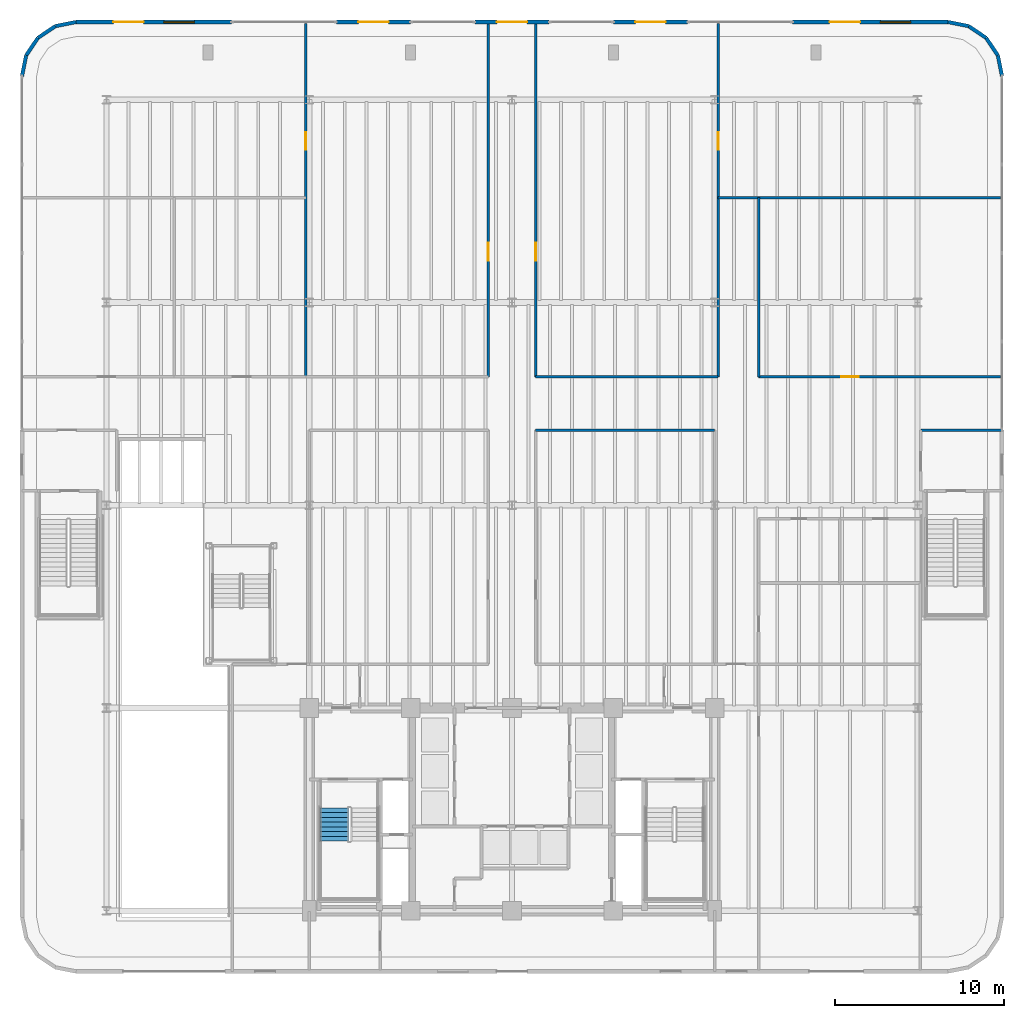
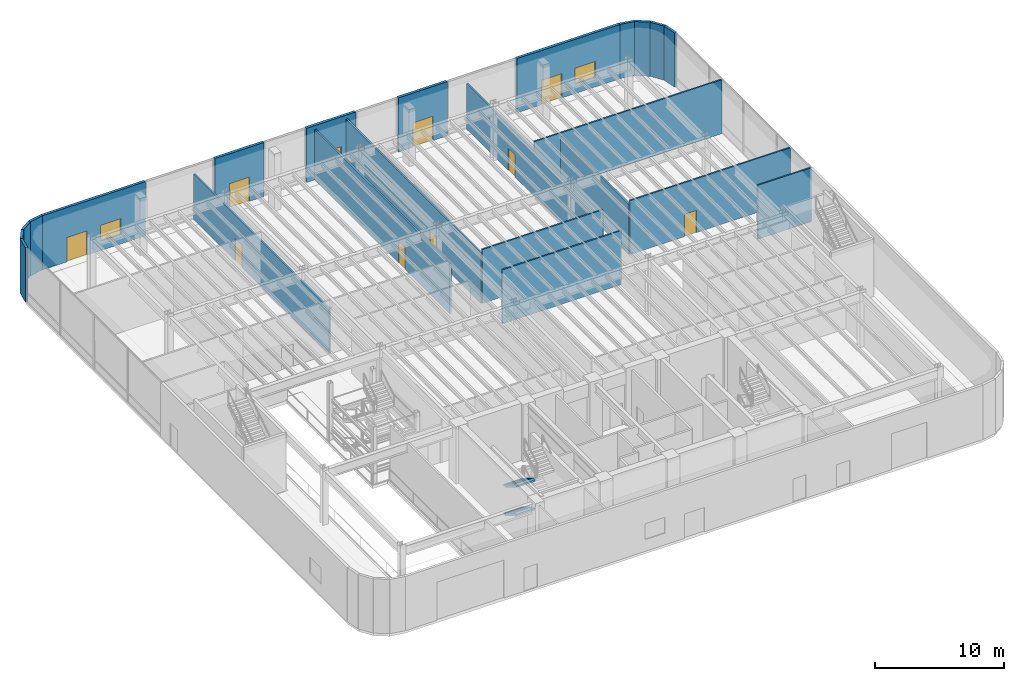
# One storey, part 10 of 17: 23 walls, 10 doors, 2 stair flights, 2 windows, 12 openings, 1 element without a shape of its own.
"""IFC4 building model written with IfcOpenShell, lengths in metres."""

from ifc_helpers import new_model, si_unit, direction, frame, frame_2d, origin, origin_2d, place, context, subcontext, project, spatial, polyline, rectangle, outline, extrude, source, transform, mapped, material, layer, layer_set, type_object, element, fill, aggregate, save


model = new_model("IFC4")

# Units and contexts
model_context = context("Model", 3, precision=1e-05, world=origin(), true_north=direction((0.0, 1.0)))
body_context = subcontext(model_context, "Body", "Model", "MODEL_VIEW")
ifc_project = project(units=[si_unit("LENGTHUNIT", "METRE"), si_unit("AREAUNIT", "SQUARE_METRE"), si_unit("VOLUMEUNIT", "CUBIC_METRE"), si_unit("PLANEANGLEUNIT", "RADIAN"), si_unit("MASSUNIT", "GRAM", prefix="KILO")], contexts=[model_context])

# Site, building, storey
site_placement = place(None, origin())
site = spatial("IfcSite", under=ifc_project, at=site_placement, CompositionType="ELEMENT")
building_placement = place(site_placement, origin())
building = spatial("IfcBuilding", under=site, at=building_placement, Name="Brelvock Crest Care Tower", CompositionType="ELEMENT")
storey_placement = place(building_placement, origin())
storey = spatial("IfcBuildingStorey", under=building, at=storey_placement, Name="L00", CompositionType="ELEMENT", Elevation=0.0)

# Wall, openings, window, door
ifc_material_1 = material(Name="Precast concrete N40 (40 MPa)", Category="concrete")
ifc_layer_1 = layer(ifc_material_1, 0.239990234375, Name="WL-EX1")
ifc_layer_set_1 = layer_set([ifc_layer_1], Name="Precast concrete N40 (40 MPa)")
wall_type_1 = type_object("IfcWallType", Name="WL-EX1", PredefinedType="SOLIDWALL", material=ifc_layer_set_1)
wall_1_placement = place(storey_placement, frame((10.199951171875, 58.60009765625, 0.0), z_axis=(0.0, 0.0, 1.0), x_axis=(1.0, 0.0, 0.0)))
wall_1 = element("IfcWall", 1, at=wall_1_placement, inside=storey, type_object=wall_type_1, Name="L00 Exterior Spandrel Wall WL-EX-L00-NW", PredefinedType="SOLIDWALL", context=body_context, shape_type="SweptSolid", body=[
    extrude(rectangle(XDim=9.199951171875, YDim=0.239990234375, at=frame_2d((4.60009765625, 0.0))), origin(), (0.0, 0.0, 1.0), 5.1201171875),
])
opening_1_placement = place(wall_1_placement, frame((2.199951171875, 0.0, 0.0)))
opening_1 = element("IfcOpeningElement", 2, at=opening_1_placement, cuts=wall_1, Name="Opening ED-1", PredefinedType="OPENING", context=body_context, shape_type="SweptSolid", body=[
    extrude(rectangle(XDim=1.800048828125, YDim=2.300048828125, at=origin_2d()), frame((0.89990234375, 0.1298828125, 1.14990234375), z_axis=(0.0, -1.0, 0.0), x_axis=(1.0, 0.0, 0.0)), (0.0, 0.0, 1.0), 0.260009765625),
])
opening_2_placement = place(wall_1_placement, frame((5.199951171875, 0.0, 0.89990234375)))
opening_2 = element("IfcOpeningElement", 3, at=opening_2_placement, cuts=wall_1, Name="Opening W-02", PredefinedType="OPENING", context=body_context, shape_type="SweptSolid", body=[
    extrude(rectangle(XDim=1.800048828125, YDim=1.5, at=origin_2d()), frame((0.89990234375, 0.1298828125, 0.75), z_axis=(0.0, -1.0, 0.0), x_axis=(1.0, 0.0, 0.0)), (0.0, 0.0, 1.0), 0.260009765625),
])
ifc_material_2 = material(Name="Dark Glass Double Glazed Low-E", Category="glass")
window_type = type_object("IfcWindowType", Name="WN-EX2", PartitioningType="SINGLE_PANEL", PredefinedType="WINDOW", material=ifc_material_2)
shared_shape_1 = source(origin(), body_context, "Body", "SweptSolid", [
    extrude(rectangle(XDim=1.800048828125, YDim=1.5, at=origin_2d()), frame((0.89990234375, 0.030029296875, 0.75), z_axis=(0.0, -1.0, 0.0), x_axis=(1.0, 0.0, 0.0)), (0.0, 0.0, 1.0), 0.06005859375),
])
window_1_placement = place(opening_2_placement, origin())
window_1 = element("IfcWindow", 4, at=window_1_placement, inside=storey, type_object=window_type, Name="WN-L00-N1", OverallHeight=1.5, OverallWidth=1.800048828125, PartitioningType="SINGLE_PANEL", PredefinedType="WINDOW", context=body_context, shape_type="MappedRepresentation", body=[
    mapped(shared_shape_1, transform((0.0, 0.0, 0.0), x_axis=(1.0, 0.0, 0.0), y_axis=(0.0, 1.0, 0.0), z_axis=(0.0, 0.0, 1.0), scale=1.0)),
])
fill(opening_2, window_1)
door_type_1 = type_object("IfcDoorType", Name="DR-EX1", OperationType="NOTDEFINED", PredefinedType="DOOR", material=ifc_material_2)
shared_shape_2 = source(origin(), body_context, "Body", "SweptSolid", [
    extrude(rectangle(XDim=1.800048828125, YDim=2.300048828125, at=origin_2d()), frame((0.89990234375, 0.02490234375, 1.14990234375), z_axis=(0.0, -1.0, 0.0), x_axis=(1.0, 0.0, 0.0)), (0.0, 0.0, 1.0), 0.050048828125),
])
door_1_placement = place(opening_1_placement, origin())
door_1 = element("IfcDoor", 5, at=door_1_placement, inside=storey, type_object=door_type_1, Name="L00 Retail Pharmacy Street Entrance E4", OperationType="SINGLE_SWING_LEFT", OverallHeight=2.300048828125, OverallWidth=1.800048828125, PredefinedType="DOOR", context=body_context, shape_type="MappedRepresentation", body=[
    mapped(shared_shape_2, transform((0.0, 0.0, 0.0), x_axis=(1.0, 0.0, 0.0), y_axis=(0.0, 1.0, 0.0), z_axis=(0.0, 0.0, 1.0), scale=1.0)),
])
fill(opening_1, door_1)

# Wall, opening, door
wall_2_placement = place(storey_placement, frame((25.60009765625, 58.60009765625, 0.0), z_axis=(0.0, 0.0, 1.0), x_axis=(1.0, 0.0, 0.0)))
wall_2 = element("IfcWall", 6, at=wall_2_placement, inside=storey, type_object=wall_type_1, Name="L00 Exterior Spandrel Wall WL-EX-L00-NM1", PredefinedType="SOLIDWALL", context=body_context, shape_type="SweptSolid", body=[
    extrude(rectangle(XDim=4.39990234375, YDim=0.239990234375, at=frame_2d((2.199951171875, 0.0))), origin(), (0.0, 0.0, 1.0), 5.1201171875),
])
opening_3_placement = place(wall_2_placement, frame((1.300048828125, 0.0, 0.0)))
opening_3 = element("IfcOpeningElement", 7, at=opening_3_placement, cuts=wall_2, Name="Opening ED-1", PredefinedType="OPENING", context=body_context, shape_type="SweptSolid", body=[
    extrude(rectangle(XDim=1.800048828125, YDim=2.300048828125, at=origin_2d()), frame((0.89990234375, 0.1298828125, 1.14990234375), z_axis=(0.0, -1.0, 0.0), x_axis=(1.0, 0.0, 0.0)), (0.0, 0.0, 1.0), 0.260009765625),
])
door_2_placement = place(opening_3_placement, origin())
door_2 = element("IfcDoor", 8, at=door_2_placement, inside=storey, type_object=door_type_1, Name="L00 Metro Concourse West Entrance E7", OperationType="SINGLE_SWING_RIGHT", OverallHeight=2.300048828125, OverallWidth=1.800048828125, PredefinedType="DOOR", context=body_context, shape_type="MappedRepresentation", body=[
    mapped(shared_shape_2, transform((0.0, 0.0, 0.0), x_axis=(1.0, 0.0, 0.0), y_axis=(0.0, 1.0, 0.0), z_axis=(0.0, 0.0, 1.0), scale=1.0)),
])
fill(opening_3, door_2)

wall_3_placement = place(storey_placement, frame((33.800048828125, 58.60009765625, 0.0), z_axis=(0.0, 0.0, 1.0), x_axis=(1.0, 0.0, 0.0)))
wall_3 = element("IfcWall", 9, at=wall_3_placement, inside=storey, type_object=wall_type_1, Name="L00 Exterior Spandrel Wall WL-EX-L00-NMC", PredefinedType="SOLIDWALL", context=body_context, shape_type="SweptSolid", body=[
    extrude(rectangle(XDim=4.39990234375, YDim=0.239990234375, at=frame_2d((2.199951171875, 0.0))), origin(), (0.0, 0.0, 1.0), 5.1201171875),
])
opening_4_placement = place(wall_3_placement, frame((1.300048828125, 0.0, 0.0)))
opening_4 = element("IfcOpeningElement", 10, at=opening_4_placement, cuts=wall_3, Name="Opening ED-1", PredefinedType="OPENING", context=body_context, shape_type="SweptSolid", body=[
    extrude(rectangle(XDim=1.800048828125, YDim=2.300048828125, at=origin_2d()), frame((0.89990234375, 0.1298828125, 1.14990234375), z_axis=(0.0, -1.0, 0.0), x_axis=(1.0, 0.0, 0.0)), (0.0, 0.0, 1.0), 0.260009765625),
])
door_3_placement = place(opening_4_placement, origin())
door_3 = element("IfcDoor", 11, at=door_3_placement, inside=storey, type_object=door_type_1, Name="L00 Grand Metro Concourse North Final Exit E9", OperationType="SINGLE_SWING_LEFT", OverallHeight=2.300048828125, OverallWidth=1.800048828125, PredefinedType="DOOR", context=body_context, shape_type="MappedRepresentation", body=[
    mapped(shared_shape_2, transform((0.0, 0.0, 0.0), x_axis=(1.0, 0.0, 0.0), y_axis=(0.0, 1.0, 0.0), z_axis=(0.0, 0.0, 1.0), scale=1.0)),
])
fill(opening_4, door_3)

wall_4_placement = place(storey_placement, frame((42.0, 58.60009765625, 0.0), z_axis=(0.0, 0.0, 1.0), x_axis=(1.0, 0.0, 0.0)))
wall_4 = element("IfcWall", 12, at=wall_4_placement, inside=storey, type_object=wall_type_1, Name="L00 Exterior Spandrel Wall WL-EX-L00-NM2", PredefinedType="SOLIDWALL", context=body_context, shape_type="SweptSolid", body=[
    extrude(rectangle(XDim=4.39990234375, YDim=0.239990234375, at=frame_2d((2.199951171875, 0.0))), origin(), (0.0, 0.0, 1.0), 5.1201171875),
])
opening_5_placement = place(wall_4_placement, frame((1.300048828125, 0.0, 0.0)))
opening_5 = element("IfcOpeningElement", 13, at=opening_5_placement, cuts=wall_4, Name="Opening ED-1", PredefinedType="OPENING", context=body_context, shape_type="SweptSolid", body=[
    extrude(rectangle(XDim=1.800048828125, YDim=2.300048828125, at=origin_2d()), frame((0.89990234375, 0.1298828125, 1.14990234375), z_axis=(0.0, -1.0, 0.0), x_axis=(1.0, 0.0, 0.0)), (0.0, 0.0, 1.0), 0.260009765625),
])
door_4_placement = place(opening_5_placement, origin())
door_4 = element("IfcDoor", 14, at=door_4_placement, inside=storey, type_object=door_type_1, Name="L00 Metro Concourse East Entrance E8", OperationType="SINGLE_SWING_LEFT", OverallHeight=2.300048828125, OverallWidth=1.800048828125, PredefinedType="DOOR", context=body_context, shape_type="MappedRepresentation", body=[
    mapped(shared_shape_2, transform((0.0, 0.0, 0.0), x_axis=(1.0, 0.0, 0.0), y_axis=(0.0, 1.0, 0.0), z_axis=(0.0, 0.0, 1.0), scale=1.0)),
])
fill(opening_5, door_4)

# Wall, openings, window, door
wall_5_placement = place(storey_placement, frame((52.60009765625, 58.60009765625, 0.0), z_axis=(0.0, 0.0, 1.0), x_axis=(1.0, 0.0, 0.0)))
wall_5 = element("IfcWall", 15, at=wall_5_placement, inside=storey, type_object=wall_type_1, Name="L00 Exterior Spandrel Wall WL-EX-L00-NE", PredefinedType="SOLIDWALL", context=body_context, shape_type="SweptSolid", body=[
    extrude(rectangle(XDim=9.199951171875, YDim=0.239990234375, at=frame_2d((4.60009765625, 0.0))), origin(), (0.0, 0.0, 1.0), 5.1201171875),
])
opening_6_placement = place(wall_5_placement, frame((2.199951171875, 0.0, 0.0)))
opening_6 = element("IfcOpeningElement", 16, at=opening_6_placement, cuts=wall_5, Name="Opening ED-1", PredefinedType="OPENING", context=body_context, shape_type="SweptSolid", body=[
    extrude(rectangle(XDim=1.800048828125, YDim=2.300048828125, at=origin_2d()), frame((0.89990234375, 0.1298828125, 1.14990234375), z_axis=(0.0, -1.0, 0.0), x_axis=(1.0, 0.0, 0.0)), (0.0, 0.0, 1.0), 0.260009765625),
])
opening_7_placement = place(wall_5_placement, frame((5.199951171875, 0.0, 0.89990234375)))
opening_7 = element("IfcOpeningElement", 17, at=opening_7_placement, cuts=wall_5, Name="Opening W-02", PredefinedType="OPENING", context=body_context, shape_type="SweptSolid", body=[
    extrude(rectangle(XDim=1.800048828125, YDim=1.5, at=origin_2d()), frame((0.89990234375, 0.1298828125, 0.75), z_axis=(0.0, -1.0, 0.0), x_axis=(1.0, 0.0, 0.0)), (0.0, 0.0, 1.0), 0.260009765625),
])
window_2_placement = place(opening_7_placement, origin())
window_2 = element("IfcWindow", 18, at=window_2_placement, inside=storey, type_object=window_type, Name="WN-L00-N2", OverallHeight=1.5, OverallWidth=1.800048828125, PartitioningType="SINGLE_PANEL", PredefinedType="WINDOW", context=body_context, shape_type="MappedRepresentation", body=[
    mapped(shared_shape_1, transform((0.0, 0.0, 0.0), x_axis=(1.0, 0.0, 0.0), y_axis=(0.0, 1.0, 0.0), z_axis=(0.0, 0.0, 1.0), scale=1.0)),
])
fill(opening_7, window_2)
door_5_placement = place(opening_6_placement, origin())
door_5 = element("IfcDoor", 19, at=door_5_placement, inside=storey, type_object=door_type_1, Name="L00 Precinct Cafe Street Entrance", OperationType="SINGLE_SWING_RIGHT", OverallHeight=2.300048828125, OverallWidth=1.800048828125, PredefinedType="DOOR", context=body_context, shape_type="MappedRepresentation", body=[
    mapped(shared_shape_2, transform((0.0, 0.0, 0.0), x_axis=(1.0, 0.0, 0.0), y_axis=(0.0, 1.0, 0.0), z_axis=(0.0, 0.0, 1.0), scale=1.0)),
])
fill(opening_6, door_5)

# Walls
ifc_layer_2 = layer(ifc_material_1, 0.215087890625, Name="WL-EX2")
ifc_layer_set_2 = layer_set([ifc_layer_2], Name="Precast concrete N40 (40 MPa)")
wall_type_2 = type_object("IfcWallType", Name="WL-EX2", PredefinedType="SOLIDWALL", material=ifc_layer_set_2)
for number, where, z_axis, x_axis, name in (
    (20, (7.0, 55.39990234375, 0.0), (0.0, 0.0, 1.0), (0.195138390419, 0.980775717779, 0.0), "L00 Corner Pier 05"),
    (21, (7.24365234375, 56.62451171875, 0.0), (0.0, 0.0, 1.0), (0.555557312883, 0.831478245117, 0.0), "L00 Corner Pier 06"),
    (22, (7.937255859375, 57.66259765625, 0.0), (0.0, 0.0, 1.0), (0.831387912822, 0.555692485475, 0.0), "L00 Corner Pier 07"),
    (23, (8.975341796875, 58.3564453125, 0.0), (0.0, 0.0, 1.0), (0.980775717779, 0.195138390419, 0.0), "L00 Corner Pier 08"),
    (24, (61.800048828125, 58.60009765625, 0.0), (0.0, 0.0, 1.0), (0.980775717779, -0.195138390419, 0.0), "L00 Corner Pier 10"),
    (25, (63.024658203125, 58.3564453125, 0.0), (0.0, 0.0, 1.0), (0.831387912822, -0.555692485475, 0.0), "L00 Corner Pier 11"),
    (26, (64.062744140625, 57.66259765625, 0.0), (0.0, 0.0, 1.0), (0.555557312883, -0.831478245117, 0.0), "L00 Corner Pier 12"),
    (27, (64.75634765625, 56.62451171875, 0.0), (0.0, 0.0, 1.0), (0.195138390419, -0.980775717779, 0.0), "L00 Corner Pier 13"),
):
    element("IfcWall", number, at=place(storey_placement, frame(where, z_axis=z_axis, x_axis=x_axis)), inside=storey, type_object=wall_type_2, Name=name, PredefinedType="SOLIDWALL", context=body_context, shape_type="SweptSolid", body=[
        extrude(rectangle(XDim=1.24853515625, YDim=0.215087890625, at=frame_2d((0.624267578125, 0.0))), origin(), (0.0, 0.0, 1.0), 5.1201171875),
    ])
ifc_material_3 = material(Name="Masonry Blockwork Acoustic Partition", Category="masonry")
ifc_layer_3 = layer(ifc_material_3, 0.14990234375, Name="WL-INT1")
ifc_layer_set_3 = layer_set([ifc_layer_3], Name="Masonry Blockwork Acoustic Partition")
wall_type_3 = type_object("IfcWallType", Name="WL-INT1", PredefinedType="PARTITIONING", material=ifc_layer_set_3)
wall_6_placement = place(storey_placement, frame((37.39990234375, 34.449951171875, 0.0), z_axis=(0.0, 0.0, 1.0), x_axis=(1.0, 0.0, 0.0)))
element("IfcWall", 28, at=wall_6_placement, inside=storey, type_object=wall_type_3, Name="L00 Interior Wall WL-BX-L00-ADM-N", PredefinedType="PARTITIONING", context=body_context, shape_type="SweptSolid", body=[
    extrude(rectangle(XDim=10.60009765625, YDim=0.14990234375, at=frame_2d((5.300048828125, 0.0))), origin(), (0.0, 0.0, 1.0), 5.090087890625),
])
wall_7_placement = place(storey_placement, frame((60.199951171875, 34.449951171875, 0.0), z_axis=(0.0, 0.0, 1.0), x_axis=(1.0, 0.0, 0.0)))
element("IfcWall", 29, at=wall_7_placement, inside=storey, type_object=wall_type_3, Name="L00 Interior Wall WL-L00-EX4N", PredefinedType="PARTITIONING", context=body_context, shape_type="SweptSolid", body=[
    extrude(rectangle(XDim=4.800048828125, YDim=0.14990234375, at=frame_2d((2.39990234375, 0.0))), origin(), (0.0, 0.0, 1.0), 5.090087890625),
])
wall_8_placement = place(storey_placement, frame((37.39990234375, 37.60009765625, 0.0), z_axis=(0.0, 0.0, 1.0), x_axis=(1.0, 0.0, 0.0)))
element("IfcWall", 30, at=wall_8_placement, inside=storey, type_object=wall_type_3, Name="L00 Interior Wall WL-BX-L00-MET-S", PredefinedType="PARTITIONING", context=body_context, shape_type="SweptSolid", body=[
    extrude(rectangle(XDim=10.800048828125, YDim=0.14990234375, at=frame_2d((5.39990234375, 0.0))), origin(), (0.0, 0.0, 1.0), 5.090087890625),
])

# Wall, opening, door
wall_9_placement = place(storey_placement, frame((50.60009765625, 37.60009765625, 0.0), z_axis=(0.0, 0.0, 1.0), x_axis=(1.0, 0.0, 0.0)))
wall_9 = element("IfcWall", 31, at=wall_9_placement, inside=storey, type_object=wall_type_3, Name="L00 Interior Wall WL-RM-L00-CAF2", PredefinedType="PARTITIONING", context=body_context, shape_type="SweptSolid", body=[
    extrude(rectangle(XDim=14.31982421875, YDim=0.14990234375, at=frame_2d((7.159912109375, 0.0))), origin(), (0.0, 0.0, 1.0), 5.090087890625),
])
opening_8_placement = place(wall_9_placement, frame((4.875, 0.0, 0.0)))
opening_8 = element("IfcOpeningElement", 32, at=opening_8_placement, cuts=wall_9, Name="Opening CLD-1", PredefinedType="OPENING", context=body_context, shape_type="SweptSolid", body=[
    extrude(rectangle(XDim=1.050048828125, YDim=2.10009765625, at=origin_2d()), frame((0.52490234375, 0.0849609375, 1.050048828125), z_axis=(0.0, -1.0, 0.0), x_axis=(1.0, 0.0, 0.0)), (0.0, 0.0, 1.0), 0.169921875),
])
ifc_material_4 = material(Name="Engineered Hardwood Timber", Category="wood")
door_type_2 = type_object("IfcDoorType", Name="DR-CLN1", OperationType="NOTDEFINED", PredefinedType="DOOR", material=ifc_material_4)
shared_shape_3 = source(origin(), body_context, "Body", "SweptSolid", [
    extrude(rectangle(XDim=1.050048828125, YDim=2.10009765625, at=origin_2d()), frame((0.52490234375, 0.02490234375, 1.050048828125), z_axis=(0.0, -1.0, 0.0), x_axis=(1.0, 0.0, 0.0)), (0.0, 0.0, 1.0), 0.050048828125),
])
door_6_placement = place(opening_8_placement, origin())
door_6 = element("IfcDoor", 33, at=door_6_placement, inside=storey, type_object=door_type_2, Name="L00 Concourse Bakery and Lounge Door CAF2", OperationType="SINGLE_SWING_LEFT", OverallHeight=2.10009765625, OverallWidth=1.050048828125, PredefinedType="DOOR", context=body_context, shape_type="MappedRepresentation", body=[
    mapped(shared_shape_3, transform((0.0, 0.0, 0.0), x_axis=(1.0, 0.0, 0.0), y_axis=(0.0, 1.0, 0.0), z_axis=(0.0, 0.0, 1.0), scale=1.0)),
])
fill(opening_8, door_6)

# Wall
wall_10_placement = place(storey_placement, frame((48.199951171875, 48.199951171875, 0.0), z_axis=(0.0, 0.0, 1.0), x_axis=(1.0, 0.0, 0.0)))
element("IfcWall", 34, at=wall_10_placement, inside=storey, type_object=wall_type_3, Name="L00 Interior Wall WL-BX-L00-CAF1-S", PredefinedType="PARTITIONING", context=body_context, shape_type="SweptSolid", body=[
    extrude(rectangle(XDim=16.719970703125, YDim=0.14990234375, at=frame_2d((8.35986328125, 0.0))), origin(), (0.0, 0.0, 1.0), 5.090087890625),
])

# Wall, opening, door
wall_11_placement = place(storey_placement, frame((23.800048828125, 37.60009765625, 0.0), z_axis=(0.0, 0.0, 1.0), x_axis=(0.0, 1.0, 0.0)))
wall_11 = element("IfcWall", 35, at=wall_11_placement, inside=storey, type_object=wall_type_3, Name="L00 Interior Wall WL-RM-L00-PHM3", PredefinedType="PARTITIONING", context=body_context, shape_type="SweptSolid", body=[
    extrude(rectangle(XDim=20.919921875, YDim=0.14990234375, at=frame_2d((10.4599609375, 0.0))), origin(), (0.0, 0.0, 1.0), 4.304931640625),
])
opening_9_placement = place(wall_11_placement, frame((13.43505859375, 0.0, 0.0)))
opening_9 = element("IfcOpeningElement", 36, at=opening_9_placement, cuts=wall_11, Name="Opening CLD-1", PredefinedType="OPENING", context=body_context, shape_type="SweptSolid", body=[
    extrude(rectangle(XDim=1.050048828125, YDim=2.10009765625, at=origin_2d()), frame((0.52490234375, 0.0849609375, 1.050048828125), z_axis=(0.0, -1.0, 0.0), x_axis=(1.0, 0.0, 0.0)), (0.0, 0.0, 1.0), 0.169921875),
])
door_7_placement = place(opening_9_placement, origin())
door_7 = element("IfcDoor", 37, at=door_7_placement, inside=storey, type_object=door_type_2, Name="L00 Station Retail Pharmacy North Door PHM3", OperationType="SINGLE_SWING_LEFT", OverallHeight=2.10009765625, OverallWidth=1.050048828125, PredefinedType="DOOR", context=body_context, shape_type="MappedRepresentation", body=[
    mapped(shared_shape_3, transform((0.0, 0.0, 0.0), x_axis=(1.0, 0.0, 0.0), y_axis=(0.0, 1.0, 0.0), z_axis=(0.0, 0.0, 1.0), scale=1.0)),
])
fill(opening_9, door_7)

wall_12_placement = place(storey_placement, frame((34.60009765625, 37.60009765625, 0.0), z_axis=(0.0, 0.0, 1.0), x_axis=(0.0, 1.0, 0.0)))
wall_12 = element("IfcWall", 38, at=wall_12_placement, inside=storey, type_object=wall_type_3, Name="L00 Interior Wall WL-RM-L00-MWT", PredefinedType="PARTITIONING", context=body_context, shape_type="SweptSolid", body=[
    extrude(rectangle(XDim=20.919921875, YDim=0.14990234375, at=frame_2d((10.4599609375, 0.0))), origin(), (0.0, 0.0, 1.0), 4.74609375),
])
opening_10_placement = place(wall_12_placement, frame((6.875, 0.0, 0.0)))
opening_10 = element("IfcOpeningElement", 39, at=opening_10_placement, cuts=wall_12, Name="Opening CLD-1", PredefinedType="OPENING", context=body_context, shape_type="SweptSolid", body=[
    extrude(rectangle(XDim=1.050048828125, YDim=2.10009765625, at=origin_2d()), frame((0.52490234375, 0.0849609375, 1.050048828125), z_axis=(0.0, -1.0, 0.0), x_axis=(1.0, 0.0, 0.0)), (0.0, 0.0, 1.0), 0.169921875),
])
door_8_placement = place(opening_10_placement, origin())
door_8 = element("IfcDoor", 40, at=door_8_placement, inside=storey, type_object=door_type_2, Name="L00 Metro Ticket Hall West Door MWT", OperationType="SINGLE_SWING_LEFT", OverallHeight=2.10009765625, OverallWidth=1.050048828125, PredefinedType="DOOR", context=body_context, shape_type="MappedRepresentation", body=[
    mapped(shared_shape_3, transform((0.0, 0.0, 0.0), x_axis=(1.0, 0.0, 0.0), y_axis=(0.0, 1.0, 0.0), z_axis=(0.0, 0.0, 1.0), scale=1.0)),
])
fill(opening_10, door_8)

wall_13_placement = place(storey_placement, frame((37.39990234375, 37.60009765625, 0.0), z_axis=(0.0, 0.0, 1.0), x_axis=(0.0, 1.0, 0.0)))
wall_13 = element("IfcWall", 41, at=wall_13_placement, inside=storey, type_object=wall_type_3, Name="L00 Interior Wall WL-RM-L00-MET", PredefinedType="PARTITIONING", context=body_context, shape_type="SweptSolid", body=[
    extrude(rectangle(XDim=20.919921875, YDim=0.14990234375, at=frame_2d((10.4599609375, 0.0))), origin(), (0.0, 0.0, 1.0), 4.74609375),
])
opening_11_placement = place(wall_13_placement, frame((6.875, 0.0, 0.0)))
opening_11 = element("IfcOpeningElement", 42, at=opening_11_placement, cuts=wall_13, Name="Opening CLD-1", PredefinedType="OPENING", context=body_context, shape_type="SweptSolid", body=[
    extrude(rectangle(XDim=1.050048828125, YDim=2.10009765625, at=origin_2d()), frame((0.52490234375, 0.0849609375, 1.050048828125), z_axis=(0.0, -1.0, 0.0), x_axis=(1.0, 0.0, 0.0)), (0.0, 0.0, 1.0), 0.169921875),
])
door_9_placement = place(opening_11_placement, origin())
door_9 = element("IfcDoor", 43, at=door_9_placement, inside=storey, type_object=door_type_2, Name="L00 Metro Ticket Hall East Door MET", OperationType="SINGLE_SWING_LEFT", OverallHeight=2.10009765625, OverallWidth=1.050048828125, PredefinedType="DOOR", context=body_context, shape_type="MappedRepresentation", body=[
    mapped(shared_shape_3, transform((0.0, 0.0, 0.0), x_axis=(1.0, 0.0, 0.0), y_axis=(0.0, 1.0, 0.0), z_axis=(0.0, 0.0, 1.0), scale=1.0)),
])
fill(opening_11, door_9)

wall_14_placement = place(storey_placement, frame((48.199951171875, 37.60009765625, 0.0), z_axis=(0.0, 0.0, 1.0), x_axis=(0.0, 1.0, 0.0)))
wall_14 = element("IfcWall", 44, at=wall_14_placement, inside=storey, type_object=wall_type_3, Name="L00 Interior Wall WL-RM-L00-CAF1", PredefinedType="PARTITIONING", context=body_context, shape_type="SweptSolid", body=[
    extrude(rectangle(XDim=20.919921875, YDim=0.14990234375, at=frame_2d((10.4599609375, 0.0))), origin(), (0.0, 0.0, 1.0), 4.304931640625),
])
opening_12_placement = place(wall_14_placement, frame((13.43505859375, 0.0, 0.0)))
opening_12 = element("IfcOpeningElement", 45, at=opening_12_placement, cuts=wall_14, Name="Opening CLD-1", PredefinedType="OPENING", context=body_context, shape_type="SweptSolid", body=[
    extrude(rectangle(XDim=1.050048828125, YDim=2.10009765625, at=origin_2d()), frame((0.52490234375, 0.0849609375, 1.050048828125), z_axis=(0.0, -1.0, 0.0), x_axis=(1.0, 0.0, 0.0)), (0.0, 0.0, 1.0), 0.169921875),
])
door_10_placement = place(opening_12_placement, origin())
door_10 = element("IfcDoor", 46, at=door_10_placement, inside=storey, type_object=door_type_2, Name="L00 Harbour Terraces Cafe Door CAF1", OperationType="SINGLE_SWING_LEFT", OverallHeight=2.10009765625, OverallWidth=1.050048828125, PredefinedType="DOOR", context=body_context, shape_type="MappedRepresentation", body=[
    mapped(shared_shape_3, transform((0.0, 0.0, 0.0), x_axis=(1.0, 0.0, 0.0), y_axis=(0.0, 1.0, 0.0), z_axis=(0.0, 0.0, 1.0), scale=1.0)),
])
fill(opening_12, door_10)

# Wall
wall_15_placement = place(storey_placement, frame((50.60009765625, 37.60009765625, 0.0), z_axis=(0.0, 0.0, 1.0), x_axis=(0.0, 1.0, 0.0)))
element("IfcWall", 47, at=wall_15_placement, inside=storey, type_object=wall_type_3, Name="L00 Interior Wall WL-BX-L00-CAF2-W", PredefinedType="PARTITIONING", context=body_context, shape_type="SweptSolid", body=[
    extrude(rectangle(XDim=10.599853515625, YDim=0.14990234375, at=frame_2d((5.2998046875, 0.0))), origin(), (0.0, 0.0, 1.0), 4.74609375),
])

# Stair, stair flights
ifc_material_5 = material(Name="Concrete N40 (40 MPa)", Category="concrete")
stair_type = type_object("IfcStairType", Name="ST-CORE1", PredefinedType="HALF_TURN_STAIR", material=ifc_material_5)
stair_placement = place(storey_placement, origin())
stair = element("IfcStair", 48, at=stair_placement, inside=storey, type_object=stair_type, Name="L00 Fire-Isolated Core Stair ST-1", PredefinedType="HALF_TURN_STAIR")
stair_flight_type = type_object("IfcStairFlightType", Name="STF-1", PredefinedType="STRAIGHT", material=ifc_material_5)
stair_flight_1_placement = place(storey_placement, frame((25.469970703125, 12.080078125, 0.0), z_axis=(0.0, 0.0, 1.0), x_axis=(0.0, -1.0, 0.0)))
stair_flight_1 = element("IfcStairFlight", 49, at=stair_flight_1_placement, type_object=stair_flight_type, Name="ST-1 flight 1", NumberOfRisers=8, NumberOfTreads=7, PredefinedType="STRAIGHT", RiserHeight=0.16875, TreadLength=0.28, context=body_context, shape_type="SweptSolid", body=[
    extrude(outline(polyline([(-0.00390625, -0.014892578125), (-0.00390625, -0.008544921875), (-0.00390625, -0.001953125), (-0.00390625, 0.004638671875), (-0.00390625, 0.01123046875), (-0.00390625, 0.017822265625), (-0.00390625, 0.0244140625), (-0.00390625, 0.031005859375), (-0.00390625, 0.03759765625), (-0.00390625, 0.0439453125), (-0.00390625, 0.050537109375), (-0.00390625, 0.05712890625), (-0.00390625, 0.063720703125), (-0.00390625, 0.0703125), (-0.00390625, 0.076904296875), (-0.00390625, 0.08349609375), (-0.00390625, 0.090087890625), (-0.00390625, 0.0966796875), (-0.00390625, 0.10302734375), (-0.00390625, 0.109619140625), (-0.00390625, 0.1162109375), (-0.00390625, 0.122802734375), (-0.00390625, 0.12939453125), (-0.00390625, 0.135986328125), (-0.00390625, 0.142578125), (-0.00390625, 0.149169921875), (-0.00390625, 0.155517578125), (-0.00390625, 0.162109375), (-0.00390625, 0.168701171875), (0.0, 0.168701171875), (0.280029296875, 0.168701171875), (0.280029296875, 0.33740234375), (0.56005859375, 0.33740234375), (0.56005859375, 0.50634765625), (0.840087890625, 0.50634765625), (0.840087890625, 0.675048828125), (1.1201171875, 0.675048828125), (1.1201171875, 0.84375), (1.39990234375, 0.84375), (1.39990234375, 1.012451171875), (1.679931640625, 1.012451171875), (1.679931640625, 1.18115234375), (1.9599609375, 1.18115234375), (1.964111328125, 1.18115234375), (1.9638671875, 1.18017578125), (1.964111328125, 1.17919921875), (1.9638671875, 1.17822265625), (1.964111328125, 1.177001953125), (1.9638671875, 1.176025390625), (1.964111328125, 1.175048828125), (1.9638671875, 1.173828125), (1.964111328125, 1.1728515625), (1.9638671875, 1.171875), (1.964111328125, 1.1708984375), (1.9638671875, 1.169677734375), (1.964111328125, 1.168701171875), (1.9638671875, 1.167724609375), (1.964111328125, 1.166748046875), (1.9638671875, 1.16552734375), (1.964111328125, 1.16455078125), (1.9638671875, 1.16357421875), (1.964111328125, 1.162353515625), (1.9638671875, 1.161376953125), (1.964111328125, 1.160400390625), (1.9638671875, 1.159423828125), (1.964111328125, 1.158203125), (1.9638671875, 1.1572265625), (1.964111328125, 1.15625), (1.9638671875, 1.155029296875), (1.964111328125, 1.154052734375), (1.9638671875, 1.153076171875), (1.964111328125, 1.152099609375), (1.9599609375, 1.00634765625), (0.29052734375, 0.0), (0.0, 0.0), (0.0, -0.014892578125), (-0.00390625, -0.014892578125)])), frame((0.0, 0.83984375, 0.0), z_axis=(0.0, -1.0, 0.0), x_axis=(1.0, 0.0, 0.0)), (0.0, 0.0, 1.0), 1.679931640625),
])
stair_flight_2_placement = place(storey_placement, frame((25.469970703125, 12.080078125, 2.699951171875), z_axis=(0.0, 0.0, 1.0), x_axis=(0.0, -1.0, 0.0)))
stair_flight_2 = element("IfcStairFlight", 50, at=stair_flight_2_placement, type_object=stair_flight_type, Name="ST-1 flight 3", NumberOfRisers=8, NumberOfTreads=7, PredefinedType="STRAIGHT", RiserHeight=0.16875, TreadLength=0.28, context=body_context, shape_type="SweptSolid", body=[
    extrude(outline(polyline([(-0.00390625, -0.014892578125), (-0.00390625, -0.008544921875), (-0.00390625, -0.001953125), (-0.00390625, 0.004638671875), (-0.00390625, 0.01123046875), (-0.00390625, 0.017822265625), (-0.00390625, 0.0244140625), (-0.00390625, 0.031005859375), (-0.00390625, 0.03759765625), (-0.00390625, 0.0439453125), (-0.00390625, 0.050537109375), (-0.00390625, 0.05712890625), (-0.00390625, 0.063720703125), (-0.00390625, 0.0703125), (-0.00390625, 0.076904296875), (-0.00390625, 0.08349609375), (-0.00390625, 0.090087890625), (-0.00390625, 0.0966796875), (-0.00390625, 0.10302734375), (-0.00390625, 0.109619140625), (-0.00390625, 0.1162109375), (-0.00390625, 0.122802734375), (-0.00390625, 0.12939453125), (-0.00390625, 0.135986328125), (-0.00390625, 0.142578125), (-0.00390625, 0.149169921875), (-0.00390625, 0.155517578125), (-0.00390625, 0.162109375), (-0.00390625, 0.168701171875), (0.0, 0.168701171875), (0.280029296875, 0.168701171875), (0.280029296875, 0.33740234375), (0.56005859375, 0.33740234375), (0.56005859375, 0.50634765625), (0.840087890625, 0.50634765625), (0.840087890625, 0.675048828125), (1.1201171875, 0.675048828125), (1.1201171875, 0.84375), (1.39990234375, 0.84375), (1.39990234375, 1.012451171875), (1.679931640625, 1.012451171875), (1.679931640625, 1.18115234375), (1.9599609375, 1.18115234375), (1.964111328125, 1.18115234375), (1.9638671875, 1.18017578125), (1.964111328125, 1.17919921875), (1.9638671875, 1.17822265625), (1.964111328125, 1.177001953125), (1.9638671875, 1.176025390625), (1.964111328125, 1.175048828125), (1.9638671875, 1.173828125), (1.964111328125, 1.1728515625), (1.9638671875, 1.171875), (1.964111328125, 1.1708984375), (1.9638671875, 1.169677734375), (1.964111328125, 1.168701171875), (1.9638671875, 1.167724609375), (1.964111328125, 1.166748046875), (1.9638671875, 1.16552734375), (1.964111328125, 1.16455078125), (1.9638671875, 1.16357421875), (1.964111328125, 1.162353515625), (1.9638671875, 1.161376953125), (1.964111328125, 1.160400390625), (1.9638671875, 1.159423828125), (1.964111328125, 1.158203125), (1.9638671875, 1.1572265625), (1.964111328125, 1.15625), (1.9638671875, 1.155029296875), (1.964111328125, 1.154052734375), (1.9638671875, 1.153076171875), (1.964111328125, 1.152099609375), (1.9599609375, 1.00634765625), (0.29052734375, 0.0), (0.0, 0.0), (0.0, -0.014892578125), (-0.00390625, -0.014892578125)])), frame((0.0, 0.83984375, 0.0), z_axis=(0.0, -1.0, 0.0), x_axis=(1.0, 0.0, 0.0)), (0.0, 0.0, 1.0), 1.679931640625),
])
aggregate(stair, [stair_flight_1, stair_flight_2])

save(model, "model.ifc")
